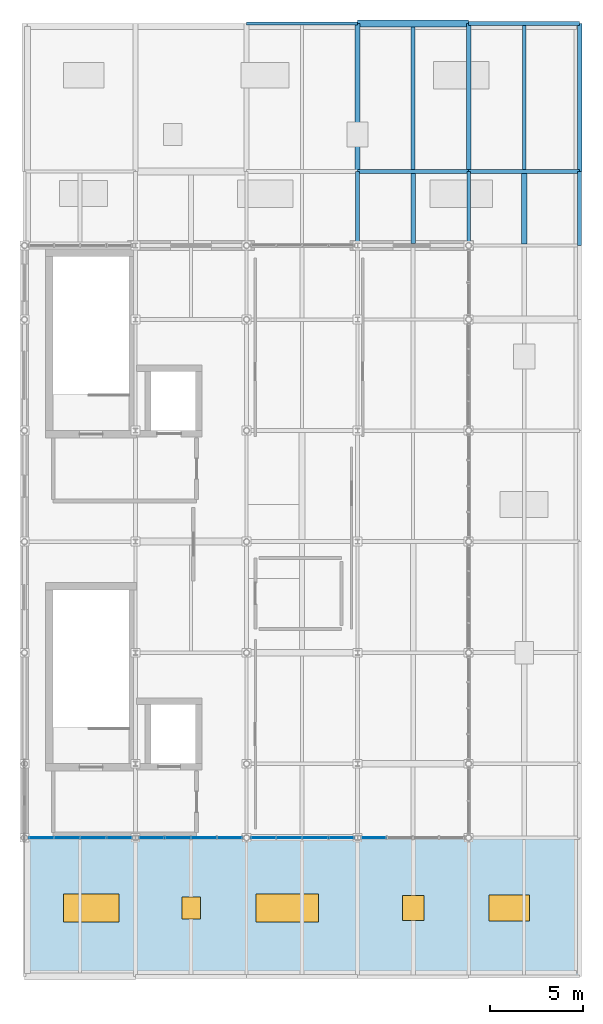
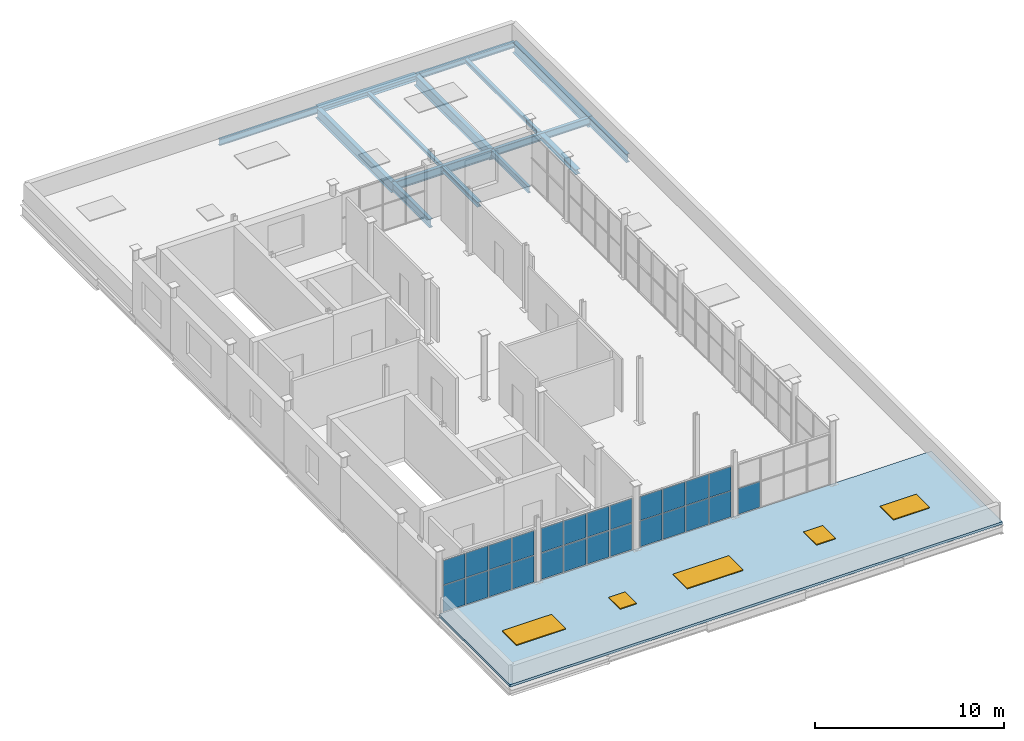
# One storey, part 21 of 27: 25 plates, 15 beams, 3 windows, 2 doors, 1 slab, 5 openings, 4 elements without a shape of their own.
"""IFC4 building model written with IfcOpenShell, lengths in metres."""

from ifc_helpers import new_model, si_unit, direction, frame, origin, origin_2d, place, context, subcontext, project, spatial, polyline, rectangle, i_section, outline, extrude, material, layer, layer_set, material_profile, profile_set, type_object, element, fill, aggregate, save


model = new_model("IFC4")

# Units and contexts
model_context = context("Model", 3, precision=1e-05, world=origin(), true_north=direction((0.0, 1.0)))
body_context = subcontext(model_context, "Body", "Model", "MODEL_VIEW")
ifc_project = project(units=[si_unit("LENGTHUNIT", "METRE"), si_unit("AREAUNIT", "SQUARE_METRE"), si_unit("VOLUMEUNIT", "CUBIC_METRE"), si_unit("PLANEANGLEUNIT", "RADIAN"), si_unit("MASSUNIT", "GRAM", prefix="KILO")], contexts=[model_context])

# Site, building, storey
site_placement = place(None, origin())
site = spatial("IfcSite", under=ifc_project, at=site_placement, CompositionType="ELEMENT")
building_placement = place(site_placement, origin())
building = spatial("IfcBuilding", under=site, at=building_placement, Name="Verrall Gate Interchange", CompositionType="ELEMENT")
storey_placement = place(building_placement, frame((0.0, 0.0, 28.60009765625)))
storey = spatial("IfcBuildingStorey", under=building, at=storey_placement, Name="L07", CompositionType="ELEMENT", Elevation=28.60009765625)

# Beams
ifc_material_1 = material(Name="Structural Steel CSA G40.21 350WT Cat 4", Category="steel")
ifc_material_profile_1 = material_profile(ifc_material_1, i_section(OverallWidth=0.256103515625, OverallDepth=0.693115234375, WebThickness=0.01318359375, FlangeThickness=0.02001953125, FilletRadius=0.01611328125, at=origin_2d()), Name="W690x170")
ifc_profile_set_1 = profile_set([ifc_material_profile_1], Name="Structural Steel CSA G40.21 350WT Cat 4")
beam_type_1 = type_object("IfcBeamType", Name="B-07 Structural Beam W690x170", PredefinedType="BEAM", material=ifc_profile_set_1)
for number, where, z_axis, x_axis, name in (
    (1, (24.0, 48.0, -0.606689453125), (0.0, 1.0, 0.0), (-1.0, 0.0, 0.0), "L07 Girder BM-L07-3299 (B-07)"),
    (2, (30.0, 48.0, -0.606689453125), (0.0, 1.0, 0.0), (-1.0, 0.0, 0.0), "L07 Girder BM-L07-3308 (B-07)"),
    (3, (36.0, 48.0, -0.606689453125), (0.0, 1.0, 0.0), (-1.0, 0.0, 0.0), "L07 Girder BM-L07-3317 (B-07)"),
):
    element("IfcBeam", number, at=place(storey_placement, frame(where, z_axis=z_axis, x_axis=x_axis)), inside=storey, type_object=beam_type_1, Name=name, PredefinedType="BEAM", context=body_context, shape_type="SweptSolid", body=[
        extrude(i_section(OverallWidth=0.256103515625, OverallDepth=0.693115234375, WebThickness=0.01318359375, FlangeThickness=0.02001953125, FilletRadius=0.01611328125, at=origin_2d()), origin(), (0.0, 0.0, 1.0), 8.0),
    ])
ifc_material_2 = material(Name="Structural Steel CSA G40.21 350W", Category="steel")
ifc_material_profile_2 = material_profile(ifc_material_2, i_section(OverallWidth=0.2109375, OverallDepth=0.5390625, WebThickness=0.01171875, FlangeThickness=0.018798828125, FilletRadius=0.013916015625, at=origin_2d()), Name="W530x109")
ifc_profile_set_2 = profile_set([ifc_material_profile_2], Name="Structural Steel CSA G40.21 350W")
beam_type_2 = type_object("IfcBeamType", Name="B-10 Structural Beam W530x109", PredefinedType="BEAM", material=ifc_profile_set_2)
beam_1_placement = place(storey_placement, frame((24.0, 48.0, -0.529541015625), z_axis=(1.0, 0.0, 0.0), x_axis=(0.0, 1.0, 0.0)))
element("IfcBeam", 4, at=beam_1_placement, inside=storey, type_object=beam_type_2, Name="L07 Girder BM-L07-3259 (B-10)", PredefinedType="BEAM", context=body_context, shape_type="SweptSolid", body=[
    extrude(i_section(OverallWidth=0.2109375, OverallDepth=0.5390625, WebThickness=0.01171875, FlangeThickness=0.018798828125, FilletRadius=0.013916015625, at=origin_2d()), origin(), (0.0, 0.0, 1.0), 6.0),
])
for number, where, z_axis, x_axis, name in (
    (5, (24.0, 44.0, -0.529541015625), (0.0, 1.0, 0.0), (-1.0, 0.0, 0.0), "L07 Girder BM-L07-3298 (B-10)"),
    (6, (36.0, 44.0, -0.529541015625), (0.0, 1.0, 0.0), (-1.0, 0.0, 0.0), "L07 Girder BM-L07-3316 (B-10)"),
):
    element("IfcBeam", number, at=place(storey_placement, frame(where, z_axis=z_axis, x_axis=x_axis)), inside=storey, type_object=beam_type_2, Name=name, PredefinedType="BEAM", context=body_context, shape_type="SweptSolid", body=[
        extrude(i_section(OverallWidth=0.2109375, OverallDepth=0.5390625, WebThickness=0.01171875, FlangeThickness=0.018798828125, FilletRadius=0.013916015625, at=origin_2d()), origin(), (0.0, 0.0, 1.0), 4.0),
    ])
ifc_material_3 = material(Name="Structural Steel CSA G40.21 350W", Category="steel")
ifc_material_profile_3 = material_profile(ifc_material_3, i_section(OverallWidth=0.19189453125, OverallDepth=0.462890625, WebThickness=0.010498046875, FlangeThickness=0.017578125, FilletRadius=0.012939453125, at=origin_2d()), Name="W460x89")
ifc_profile_set_3 = profile_set([ifc_material_profile_3], Name="Structural Steel CSA G40.21 350W")
beam_type_3 = type_object("IfcBeamType", Name="B-11 Structural Beam W460x89", PredefinedType="BEAM", material=ifc_profile_set_3)
beam_2_placement = place(storey_placement, frame((30.0, 48.0, -0.49169921875), z_axis=(1.0, 0.0, 0.0), x_axis=(0.0, 1.0, 0.0)))
element("IfcBeam", 7, at=beam_2_placement, inside=storey, type_object=beam_type_3, Name="L07 Girder BM-L07-3260 (B-11)", PredefinedType="BEAM", context=body_context, shape_type="SweptSolid", body=[
    extrude(i_section(OverallWidth=0.19189453125, OverallDepth=0.462890625, WebThickness=0.010498046875, FlangeThickness=0.017578125, FilletRadius=0.012939453125, at=origin_2d()), origin(), (0.0, 0.0, 1.0), 6.0),
])
ifc_material_4 = material(Name="Structural Steel CSA G40.21 350W", Category="steel")
ifc_material_profile_4 = material_profile(ifc_material_4, i_section(OverallWidth=0.178955078125, OverallDepth=0.409912109375, WebThickness=0.0087890625, FlangeThickness=0.014404296875, FilletRadius=0.011962890625, at=origin_2d()), Name="W410x67")
ifc_profile_set_4 = profile_set([ifc_material_profile_4], Name="Structural Steel CSA G40.21 350W")
beam_type_4 = type_object("IfcBeamType", Name="B-12 Structural Beam W410x67", PredefinedType="BEAM", material=ifc_profile_set_4)
beam_3_placement = place(storey_placement, frame((18.0, 56.0, -0.465087890625), z_axis=(1.0, 0.0, 0.0), x_axis=(0.0, 1.0, 0.0)))
element("IfcBeam", 8, at=beam_3_placement, inside=storey, type_object=beam_type_4, Name="L07 Girder BM-L07-3261 (B-12)", PredefinedType="BEAM", context=body_context, shape_type="SweptSolid", body=[
    extrude(i_section(OverallWidth=0.178955078125, OverallDepth=0.409912109375, WebThickness=0.0087890625, FlangeThickness=0.014404296875, FilletRadius=0.011962890625, at=origin_2d()), origin(), (0.0, 0.0, 1.0), 6.0),
])
beam_4_placement = place(storey_placement, frame((30.0, 44.0, -0.465087890625), z_axis=(0.0, 1.0, 0.0), x_axis=(-1.0, 0.0, 0.0)))
element("IfcBeam", 9, at=beam_4_placement, inside=storey, type_object=beam_type_4, Name="L07 Girder BM-L07-3307 (B-12)", PredefinedType="BEAM", context=body_context, shape_type="SweptSolid", body=[
    extrude(i_section(OverallWidth=0.178955078125, OverallDepth=0.409912109375, WebThickness=0.0087890625, FlangeThickness=0.014404296875, FilletRadius=0.011962890625, at=origin_2d()), origin(), (0.0, 0.0, 1.0), 4.0),
])
ifc_material_5 = material(Name="Structural Steel CSA G40.21 350W", Category="steel")
ifc_material_profile_5 = material_profile(ifc_material_5, i_section(OverallWidth=0.368896484375, OverallDepth=0.35595703125, WebThickness=0.01123046875, FlangeThickness=0.01806640625, FilletRadius=0.014892578125, at=origin_2d()), Name="W360x134")
ifc_profile_set_5 = profile_set([ifc_material_profile_5], Name="Structural Steel CSA G40.21 350W")
beam_type_5 = type_object("IfcBeamType", Name="B-13 Structural Beam W360x134", PredefinedType="BEAM", material=ifc_profile_set_5)
beam_5_placement = place(storey_placement, frame((24.0, 56.0, -0.43798828125), z_axis=(1.0, 0.0, 0.0), x_axis=(0.0, 1.0, 0.0)))
element("IfcBeam", 10, at=beam_5_placement, inside=storey, type_object=beam_type_5, Name="L07 Girder BM-L07-3262 (B-13)", PredefinedType="BEAM", context=body_context, shape_type="SweptSolid", body=[
    extrude(i_section(OverallWidth=0.368896484375, OverallDepth=0.35595703125, WebThickness=0.01123046875, FlangeThickness=0.01806640625, FilletRadius=0.014892578125, at=origin_2d()), origin(), (0.0, 0.0, 1.0), 6.0),
])
ifc_material_6 = material(Name="Structural Steel CSA G40.21 350W", Category="steel")
ifc_material_profile_6 = material_profile(ifc_material_6, i_section(OverallWidth=0.205078125, OverallDepth=0.35400390625, WebThickness=0.009521484375, FlangeThickness=0.016845703125, FilletRadius=0.012939453125, at=origin_2d()), Name="W360x79")
ifc_profile_set_6 = profile_set([ifc_material_profile_6], Name="Structural Steel CSA G40.21 350W")
beam_type_6 = type_object("IfcBeamType", Name="B-14 Structural Beam W360x79", PredefinedType="BEAM", material=ifc_profile_set_6)
beam_6_placement = place(storey_placement, frame((30.0, 56.0, -0.43701171875), z_axis=(1.0, 0.0, 0.0), x_axis=(0.0, 1.0, 0.0)))
element("IfcBeam", 11, at=beam_6_placement, inside=storey, type_object=beam_type_6, Name="L07 Girder BM-L07-3263 (B-14)", PredefinedType="BEAM", context=body_context, shape_type="SweptSolid", body=[
    extrude(i_section(OverallWidth=0.205078125, OverallDepth=0.35400390625, WebThickness=0.009521484375, FlangeThickness=0.016845703125, FilletRadius=0.012939453125, at=origin_2d()), origin(), (0.0, 0.0, 1.0), 6.0),
])
ifc_material_7 = material(Name="Structural Steel CSA G40.21 350W", Category="steel")
ifc_material_profile_7 = material_profile(ifc_material_7, i_section(OverallWidth=0.306884765625, OverallDepth=0.31396484375, WebThickness=0.011962890625, FlangeThickness=0.018798828125, FilletRadius=0.013916015625, at=origin_2d()), Name="W310x118")
ifc_profile_set_7 = profile_set([ifc_material_profile_7], Name="Structural Steel CSA G40.21 350W")
beam_type_7 = type_object("IfcBeamType", Name="J-02 Floor Joist W310x118", PredefinedType="JOIST", material=ifc_profile_set_7)
beam_7_placement = place(storey_placement, frame((33.0, 44.089599609375, -0.4169921875), z_axis=(0.0, 1.0, 0.0), x_axis=(-1.0, 0.0, 0.0)))
element("IfcBeam", 12, at=beam_7_placement, inside=storey, type_object=beam_type_7, Name="L07 Secondary Floor Joist JST-L07-3347", PredefinedType="JOIST", context=body_context, shape_type="SweptSolid", body=[
    extrude(i_section(OverallWidth=0.306884765625, OverallDepth=0.31396484375, WebThickness=0.011962890625, FlangeThickness=0.018798828125, FilletRadius=0.013916015625, at=origin_2d()), origin(), (0.0, 0.0, 1.0), 3.814453125),
])
ifc_material_8 = material(Name="Structural Steel CSA G40.21 350W", Category="steel")
ifc_material_profile_8 = material_profile(ifc_material_8, i_section(OverallWidth=0.25390625, OverallDepth=0.305908203125, WebThickness=0.0087890625, FlangeThickness=0.0146484375, FilletRadius=0.012939453125, at=origin_2d()), Name="W310x79")
ifc_profile_set_8 = profile_set([ifc_material_profile_8], Name="Structural Steel CSA G40.21 350W")
beam_type_8 = type_object("IfcBeamType", Name="J-03 Floor Joist W310x79", PredefinedType="JOIST", material=ifc_profile_set_8)
beam_8_placement = place(storey_placement, frame((27.0, 44.095947265625, -0.4130859375), z_axis=(0.0, 1.0, 0.0), x_axis=(-1.0, 0.0, 0.0)))
element("IfcBeam", 13, at=beam_8_placement, inside=storey, type_object=beam_type_8, Name="L07 Secondary Floor Joist JST-L07-3346", PredefinedType="JOIST", context=body_context, shape_type="SweptSolid", body=[
    extrude(i_section(OverallWidth=0.25390625, OverallDepth=0.305908203125, WebThickness=0.0087890625, FlangeThickness=0.0146484375, FilletRadius=0.012939453125, at=origin_2d()), origin(), (0.0, 0.0, 1.0), 3.798583984375),
])
ifc_material_9 = material(Name="Structural Steel CSA G40.21 350W", Category="steel")
ifc_material_profile_9 = material_profile(ifc_material_9, i_section(OverallWidth=0.201904296875, OverallDepth=0.2470703125, WebThickness=0.00732421875, FlangeThickness=0.010986328125, FilletRadius=0.010986328125, at=origin_2d()), Name="W250x49")
ifc_profile_set_9 = profile_set([ifc_material_profile_9], Name="Structural Steel CSA G40.21 350W")
beam_type_9 = type_object("IfcBeamType", Name="J-06 Floor Joist W250x49", PredefinedType="JOIST", material=ifc_profile_set_9)
beam_9_placement = place(storey_placement, frame((33.0, 48.095947265625, -0.383544921875), z_axis=(0.0, 1.0, 0.0), x_axis=(-1.0, 0.0, 0.0)))
element("IfcBeam", 14, at=beam_9_placement, inside=storey, type_object=beam_type_9, Name="L07 Secondary Floor Joist JST-L07-3350", PredefinedType="JOIST", context=body_context, shape_type="SweptSolid", body=[
    extrude(i_section(OverallWidth=0.201904296875, OverallDepth=0.2470703125, WebThickness=0.00732421875, FlangeThickness=0.010986328125, FilletRadius=0.010986328125, at=origin_2d()), origin(), (0.0, 0.0, 1.0), 7.801513671875),
])
ifc_material_10 = material(Name="Structural Steel CSA G40.21 350W", Category="steel")
ifc_material_profile_10 = material_profile(ifc_material_10, i_section(OverallWidth=0.202880859375, OverallDepth=0.202880859375, WebThickness=0.007080078125, FlangeThickness=0.010986328125, FilletRadius=0.010009765625, at=origin_2d()), Name="W200x46")
ifc_profile_set_10 = profile_set([ifc_material_profile_10], Name="Structural Steel CSA G40.21 350W")
beam_type_10 = type_object("IfcBeamType", Name="J-07 Floor Joist W200x46", PredefinedType="JOIST", material=ifc_profile_set_10)
beam_10_placement = place(storey_placement, frame((27.0, 48.10546875, -0.361572265625), z_axis=(0.0, 1.0, 0.0), x_axis=(-1.0, 0.0, 0.0)))
element("IfcBeam", 15, at=beam_10_placement, inside=storey, type_object=beam_type_10, Name="L07 Secondary Floor Joist JST-L07-3349", PredefinedType="JOIST", context=body_context, shape_type="SweptSolid", body=[
    extrude(i_section(OverallWidth=0.202880859375, OverallDepth=0.202880859375, WebThickness=0.007080078125, FlangeThickness=0.010986328125, FilletRadius=0.010009765625, at=origin_2d()), origin(), (0.0, 0.0, 1.0), 7.7099609375),
])

# Curtain wall, plates
ifc_material_11 = material(Name="Thermally Broken Anodized Aluminium Curtain Wall Framing", Category="aluminium")
curtain_wall_type_1 = type_object("IfcCurtainWallType", Name="CW-50 Unitized Curtain Wall 5647x3420", PredefinedType="NOTDEFINED", material=ifc_material_11)
curtain_wall_1_placement = place(storey_placement, origin())
curtain_wall_1 = element("IfcCurtainWall", 16, at=curtain_wall_1_placement, inside=storey, type_object=curtain_wall_type_1, Name="L07 Unitized Curtain Wall CW-L07-152", PredefinedType="NOTDEFINED")
ifc_material_12 = material(Name="Triple-Glazed Low-E Argon Insulated Curtain Panel (U=1.45)", Category="glass")
ifc_layer_1 = layer(ifc_material_12, 0.030029296875)
ifc_layer_set_1 = layer_set([ifc_layer_1], Name="Triple-Glazed Low-E Argon Insulated Curtain Panel (U=1.45)")
plate_type_1 = type_object("IfcPlateType", Name="CP-01 Curtain Glazing Panel 30", PredefinedType="CURTAIN_PANEL", material=ifc_layer_set_1)
plate_1_placement = place(storey_placement, frame((6.916015625, 12.0, 0.054443359375), z_axis=(0.0, 0.0, 1.0), x_axis=(1.0, 0.0, 0.0)))
plate_1 = element("IfcPlate", 17, at=plate_1_placement, type_object=plate_type_1, Name="CW-L07-152 Glazing Panel 1.1", PredefinedType="CURTAIN_PANEL", context=body_context, shape_type="SweptSolid", body=[
    extrude(rectangle(XDim=1.335205078125, YDim=0.030029296875, at=origin_2d()), origin(), (0.0, 0.0, 1.0), 1.70166015625),
])
plate_2_placement = place(storey_placement, frame((6.916015625, 12.0, 1.80029296875), z_axis=(0.0, 0.0, 1.0), x_axis=(1.0, 0.0, 0.0)))
plate_2 = element("IfcPlate", 18, at=plate_2_placement, type_object=plate_type_1, Name="CW-L07-152 Glazing Panel 1.2", PredefinedType="CURTAIN_PANEL", context=body_context, shape_type="SweptSolid", body=[
    extrude(rectangle(XDim=1.335205078125, YDim=0.030029296875, at=origin_2d()), origin(), (0.0, 0.0, 1.0), 1.56494140625),
])
plate_3_placement = place(storey_placement, frame((8.3115234375, 12.0, 0.054443359375), z_axis=(0.0, 0.0, 1.0), x_axis=(1.0, 0.0, 0.0)))
plate_3 = element("IfcPlate", 19, at=plate_3_placement, type_object=plate_type_1, Name="CW-L07-152 Glazing Panel 2.1", PredefinedType="CURTAIN_PANEL", context=body_context, shape_type="SweptSolid", body=[
    extrude(rectangle(XDim=1.36767578125, YDim=0.030029296875, at=origin_2d()), origin(), (0.0, 0.0, 1.0), 1.70166015625),
])
plate_4_placement = place(storey_placement, frame((8.3115234375, 12.0, 1.80029296875), z_axis=(0.0, 0.0, 1.0), x_axis=(1.0, 0.0, 0.0)))
plate_4 = element("IfcPlate", 20, at=plate_4_placement, type_object=plate_type_1, Name="CW-L07-152 Glazing Panel 2.2", PredefinedType="CURTAIN_PANEL", context=body_context, shape_type="SweptSolid", body=[
    extrude(rectangle(XDim=1.36767578125, YDim=0.030029296875, at=origin_2d()), origin(), (0.0, 0.0, 1.0), 1.56494140625),
])
plate_5_placement = place(storey_placement, frame((9.723388671875, 12.0, 0.054443359375), z_axis=(0.0, 0.0, 1.0), x_axis=(1.0, 0.0, 0.0)))
plate_5 = element("IfcPlate", 21, at=plate_5_placement, type_object=plate_type_1, Name="CW-L07-152 Glazing Panel 3.1", PredefinedType="CURTAIN_PANEL", context=body_context, shape_type="SweptSolid", body=[
    extrude(rectangle(XDim=1.367431640625, YDim=0.030029296875, at=origin_2d()), origin(), (0.0, 0.0, 1.0), 1.70166015625),
])
plate_6_placement = place(storey_placement, frame((9.723388671875, 12.0, 1.80029296875), z_axis=(0.0, 0.0, 1.0), x_axis=(1.0, 0.0, 0.0)))
plate_6 = element("IfcPlate", 22, at=plate_6_placement, type_object=plate_type_1, Name="CW-L07-152 Glazing Panel 3.2", PredefinedType="CURTAIN_PANEL", context=body_context, shape_type="SweptSolid", body=[
    extrude(rectangle(XDim=1.367431640625, YDim=0.030029296875, at=origin_2d()), origin(), (0.0, 0.0, 1.0), 1.56494140625),
])
plate_7_placement = place(storey_placement, frame((11.118896484375, 12.0, 0.054443359375), z_axis=(0.0, 0.0, 1.0), x_axis=(1.0, 0.0, 0.0)))
plate_7 = element("IfcPlate", 23, at=plate_7_placement, type_object=plate_type_1, Name="CW-L07-152 Glazing Panel 4.1", PredefinedType="CURTAIN_PANEL", context=body_context, shape_type="SweptSolid", body=[
    extrude(rectangle(XDim=1.335205078125, YDim=0.030029296875, at=origin_2d()), origin(), (0.0, 0.0, 1.0), 1.70166015625),
])
plate_8_placement = place(storey_placement, frame((11.118896484375, 12.0, 1.80029296875), z_axis=(0.0, 0.0, 1.0), x_axis=(1.0, 0.0, 0.0)))
plate_8 = element("IfcPlate", 24, at=plate_8_placement, type_object=plate_type_1, Name="CW-L07-152 Glazing Panel 4.2", PredefinedType="CURTAIN_PANEL", context=body_context, shape_type="SweptSolid", body=[
    extrude(rectangle(XDim=1.335205078125, YDim=0.030029296875, at=origin_2d()), origin(), (0.0, 0.0, 1.0), 1.56494140625),
])
aggregate(curtain_wall_1, [plate_1, plate_2, plate_3, plate_4, plate_5, plate_6, plate_7, plate_8])

curtain_wall_2_placement = place(storey_placement, origin())
curtain_wall_2 = element("IfcCurtainWall", 25, at=curtain_wall_2_placement, inside=storey, type_object=curtain_wall_type_1, Name="L07 Unitized Curtain Wall CW-L07-153", PredefinedType="NOTDEFINED")
plate_9_placement = place(storey_placement, frame((12.8837890625, 12.0, 0.06298828125), z_axis=(0.0, 0.0, 1.0), x_axis=(1.0, 0.0, 0.0)))
plate_9 = element("IfcPlate", 26, at=plate_9_placement, type_object=plate_type_1, Name="CW-L07-153 Glazing Panel 1.1", PredefinedType="CURTAIN_PANEL", context=body_context, shape_type="SweptSolid", body=[
    extrude(rectangle(XDim=1.3232421875, YDim=0.030029296875, at=origin_2d()), origin(), (0.0, 0.0, 1.0), 1.68994140625),
])
plate_10_placement = place(storey_placement, frame((12.8837890625, 12.0, 1.8037109375), z_axis=(0.0, 0.0, 1.0), x_axis=(1.0, 0.0, 0.0)))
plate_10 = element("IfcPlate", 27, at=plate_10_placement, type_object=plate_type_1, Name="CW-L07-153 Glazing Panel 1.2", PredefinedType="CURTAIN_PANEL", context=body_context, shape_type="SweptSolid", body=[
    extrude(rectangle(XDim=1.3232421875, YDim=0.030029296875, at=origin_2d()), origin(), (0.0, 0.0, 1.0), 1.552978515625),
])
plate_11_placement = place(storey_placement, frame((14.276611328125, 12.0, 0.06298828125), z_axis=(0.0, 0.0, 1.0), x_axis=(1.0, 0.0, 0.0)))
plate_11 = element("IfcPlate", 28, at=plate_11_placement, type_object=plate_type_1, Name="CW-L07-153 Glazing Panel 2.1", PredefinedType="CURTAIN_PANEL", context=body_context, shape_type="SweptSolid", body=[
    extrude(rectangle(XDim=1.36083984375, YDim=0.030029296875, at=origin_2d()), origin(), (0.0, 0.0, 1.0), 1.68994140625),
])
plate_12_placement = place(storey_placement, frame((14.276611328125, 12.0, 1.8037109375), z_axis=(0.0, 0.0, 1.0), x_axis=(1.0, 0.0, 0.0)))
plate_12 = element("IfcPlate", 29, at=plate_12_placement, type_object=plate_type_1, Name="CW-L07-153 Glazing Panel 2.2", PredefinedType="CURTAIN_PANEL", context=body_context, shape_type="SweptSolid", body=[
    extrude(rectangle(XDim=1.36083984375, YDim=0.030029296875, at=origin_2d()), origin(), (0.0, 0.0, 1.0), 1.552978515625),
])
plate_13_placement = place(storey_placement, frame((15.6884765625, 12.0, 0.06298828125), z_axis=(0.0, 0.0, 1.0), x_axis=(1.0, 0.0, 0.0)))
plate_13 = element("IfcPlate", 30, at=plate_13_placement, type_object=plate_type_1, Name="CW-L07-153 Glazing Panel 3.1", PredefinedType="CURTAIN_PANEL", context=body_context, shape_type="SweptSolid", body=[
    extrude(rectangle(XDim=1.360595703125, YDim=0.030029296875, at=origin_2d()), origin(), (0.0, 0.0, 1.0), 1.68994140625),
])
plate_14_placement = place(storey_placement, frame((15.6884765625, 12.0, 1.8037109375), z_axis=(0.0, 0.0, 1.0), x_axis=(1.0, 0.0, 0.0)))
plate_14 = element("IfcPlate", 31, at=plate_14_placement, type_object=plate_type_1, Name="CW-L07-153 Glazing Panel 3.2", PredefinedType="CURTAIN_PANEL", context=body_context, shape_type="SweptSolid", body=[
    extrude(rectangle(XDim=1.360595703125, YDim=0.030029296875, at=origin_2d()), origin(), (0.0, 0.0, 1.0), 1.552978515625),
])
plate_15_placement = place(storey_placement, frame((17.08154296875, 12.0, 0.06298828125), z_axis=(0.0, 0.0, 1.0), x_axis=(1.0, 0.0, 0.0)))
plate_15 = element("IfcPlate", 32, at=plate_15_placement, type_object=plate_type_1, Name="CW-L07-153 Glazing Panel 4.1", PredefinedType="CURTAIN_PANEL", context=body_context, shape_type="SweptSolid", body=[
    extrude(rectangle(XDim=1.3232421875, YDim=0.030029296875, at=origin_2d()), origin(), (0.0, 0.0, 1.0), 1.68994140625),
])
plate_16_placement = place(storey_placement, frame((17.08154296875, 12.0, 1.8037109375), z_axis=(0.0, 0.0, 1.0), x_axis=(1.0, 0.0, 0.0)))
plate_16 = element("IfcPlate", 33, at=plate_16_placement, type_object=plate_type_1, Name="CW-L07-153 Glazing Panel 4.2", PredefinedType="CURTAIN_PANEL", context=body_context, shape_type="SweptSolid", body=[
    extrude(rectangle(XDim=1.3232421875, YDim=0.030029296875, at=origin_2d()), origin(), (0.0, 0.0, 1.0), 1.552978515625),
])
aggregate(curtain_wall_2, [plate_9, plate_10, plate_11, plate_12, plate_13, plate_14, plate_15, plate_16])

ifc_material_13 = material(Name="Thermally Broken Anodized Aluminium Curtain Wall Framing", Category="aluminium")
curtain_wall_type_2 = type_object("IfcCurtainWallType", Name="CW-43 Unitized Curtain Wall 5612x3310", PredefinedType="NOTDEFINED", material=ifc_material_13)
curtain_wall_3_placement = place(storey_placement, origin())
curtain_wall_3 = element("IfcCurtainWall", 34, at=curtain_wall_3_placement, inside=storey, type_object=curtain_wall_type_2, Name="L07 Unitized Curtain Wall CW-L07-154", PredefinedType="NOTDEFINED")
ifc_material_14 = material(Name="Triple-Glazed Low-E Argon Insulated Curtain Panel (U=1.45)", Category="glass")
ifc_layer_2 = layer(ifc_material_14, 0.0400390625)
ifc_layer_set_2 = layer_set([ifc_layer_2], Name="Triple-Glazed Low-E Argon Insulated Curtain Panel (U=1.45)")
plate_type_2 = type_object("IfcPlateType", Name="CP-02 Curtain Glazing Panel 40", PredefinedType="CURTAIN_PANEL", material=ifc_layer_set_2)
plate_17_placement = place(storey_placement, frame((18.916015625, 12.0, 0.054443359375), z_axis=(0.0, 0.0, 1.0), x_axis=(1.0, 0.0, 0.0)))
plate_17 = element("IfcPlate", 35, at=plate_17_placement, type_object=plate_type_2, Name="CW-L07-154 Glazing Panel 1.1", PredefinedType="CURTAIN_PANEL", context=body_context, shape_type="SweptSolid", body=[
    extrude(rectangle(XDim=1.335205078125, YDim=0.0400390625, at=origin_2d()), origin(), (0.0, 0.0, 1.0), 1.66015625),
])
plate_18_placement = place(storey_placement, frame((18.916015625, 12.0, 1.7587890625), z_axis=(0.0, 0.0, 1.0), x_axis=(1.0, 0.0, 0.0)))
plate_18 = element("IfcPlate", 36, at=plate_18_placement, type_object=plate_type_2, Name="CW-L07-154 Glazing Panel 1.2", PredefinedType="CURTAIN_PANEL", context=body_context, shape_type="SweptSolid", body=[
    extrude(rectangle(XDim=1.335205078125, YDim=0.0400390625, at=origin_2d()), origin(), (0.0, 0.0, 1.0), 1.526611328125),
])
plate_19_placement = place(storey_placement, frame((20.311767578125, 12.0, 0.054443359375), z_axis=(0.0, 0.0, 1.0), x_axis=(1.0, 0.0, 0.0)))
plate_19 = element("IfcPlate", 37, at=plate_19_placement, type_object=plate_type_2, Name="CW-L07-154 Glazing Panel 2.1", PredefinedType="CURTAIN_PANEL", context=body_context, shape_type="SweptSolid", body=[
    extrude(rectangle(XDim=1.367431640625, YDim=0.0400390625, at=origin_2d()), origin(), (0.0, 0.0, 1.0), 1.66015625),
])
plate_20_placement = place(storey_placement, frame((20.311767578125, 12.0, 1.7587890625), z_axis=(0.0, 0.0, 1.0), x_axis=(1.0, 0.0, 0.0)))
plate_20 = element("IfcPlate", 38, at=plate_20_placement, type_object=plate_type_2, Name="CW-L07-154 Glazing Panel 2.2", PredefinedType="CURTAIN_PANEL", context=body_context, shape_type="SweptSolid", body=[
    extrude(rectangle(XDim=1.367431640625, YDim=0.0400390625, at=origin_2d()), origin(), (0.0, 0.0, 1.0), 1.526611328125),
])
plate_21_placement = place(storey_placement, frame((21.723388671875, 12.0, 0.054443359375), z_axis=(0.0, 0.0, 1.0), x_axis=(1.0, 0.0, 0.0)))
plate_21 = element("IfcPlate", 39, at=plate_21_placement, type_object=plate_type_2, Name="CW-L07-154 Glazing Panel 3.1", PredefinedType="CURTAIN_PANEL", context=body_context, shape_type="SweptSolid", body=[
    extrude(rectangle(XDim=1.36767578125, YDim=0.0400390625, at=origin_2d()), origin(), (0.0, 0.0, 1.0), 1.66015625),
])
plate_22_placement = place(storey_placement, frame((21.723388671875, 12.0, 1.7587890625), z_axis=(0.0, 0.0, 1.0), x_axis=(1.0, 0.0, 0.0)))
plate_22 = element("IfcPlate", 40, at=plate_22_placement, type_object=plate_type_2, Name="CW-L07-154 Glazing Panel 3.2", PredefinedType="CURTAIN_PANEL", context=body_context, shape_type="SweptSolid", body=[
    extrude(rectangle(XDim=1.36767578125, YDim=0.0400390625, at=origin_2d()), origin(), (0.0, 0.0, 1.0), 1.526611328125),
])
plate_23_placement = place(storey_placement, frame((23.118896484375, 12.0, 0.054443359375), z_axis=(0.0, 0.0, 1.0), x_axis=(1.0, 0.0, 0.0)))
plate_23 = element("IfcPlate", 41, at=plate_23_placement, type_object=plate_type_2, Name="CW-L07-154 Glazing Panel 4.1", PredefinedType="CURTAIN_PANEL", context=body_context, shape_type="SweptSolid", body=[
    extrude(rectangle(XDim=1.3349609375, YDim=0.0400390625, at=origin_2d()), origin(), (0.0, 0.0, 1.0), 1.66015625),
])
plate_24_placement = place(storey_placement, frame((23.118896484375, 12.0, 1.7587890625), z_axis=(0.0, 0.0, 1.0), x_axis=(1.0, 0.0, 0.0)))
plate_24 = element("IfcPlate", 42, at=plate_24_placement, type_object=plate_type_2, Name="CW-L07-154 Glazing Panel 4.2", PredefinedType="CURTAIN_PANEL", context=body_context, shape_type="SweptSolid", body=[
    extrude(rectangle(XDim=1.3349609375, YDim=0.0400390625, at=origin_2d()), origin(), (0.0, 0.0, 1.0), 1.526611328125),
])
aggregate(curtain_wall_3, [plate_17, plate_18, plate_19, plate_20, plate_21, plate_22, plate_23, plate_24])

# Curtain wall, plate
curtain_wall_4_placement = place(storey_placement, origin())
curtain_wall_4 = element("IfcCurtainWall", 43, at=curtain_wall_4_placement, inside=storey, type_object=curtain_wall_type_2, Name="L07 Unitized Curtain Wall CW-L07-155", PredefinedType="NOTDEFINED")
plate_25_placement = place(storey_placement, frame((24.883544921875, 12.0, 0.06298828125), z_axis=(0.0, 0.0, 1.0), x_axis=(1.0, 0.0, 0.0)))
plate_25 = element("IfcPlate", 44, at=plate_25_placement, type_object=plate_type_2, Name="CW-L07-155 Glazing Panel 1.1", PredefinedType="CURTAIN_PANEL", context=body_context, shape_type="SweptSolid", body=[
    extrude(rectangle(XDim=1.3232421875, YDim=0.0400390625, at=origin_2d()), origin(), (0.0, 0.0, 1.0), 1.648193359375),
])
aggregate(curtain_wall_4, [plate_25])

# Slab, openings, doors, windows
ifc_material_15 = material(Name="Concrete CSA A23.1 40 MPa (Class C-1)", Category="concrete")
ifc_layer_3 = layer(ifc_material_15, 0.159912109375)
ifc_layer_set_3 = layer_set([ifc_layer_3], Name="Concrete CSA A23.1 40 MPa (Class C-1)")
slab_type = type_object("IfcSlabType", Name="RS-03 Roof Slab 160", PredefinedType="ROOF", material=ifc_layer_set_3)
slab_placement = place(storey_placement, frame((0.0, 0.0, -0.16015625)))
slab = element("IfcSlab", 45, at=slab_placement, inside=storey, type_object=slab_type, Name="L07 Structural Slab SLB-L07-MR1", PredefinedType="ROOF", context=body_context, shape_type="SweptSolid", body=[
    extrude(outline(polyline([(6.0, 12.0), (18.0, 12.0), (30.0, 12.0), (36.0, 12.0), (36.0, 4.5), (6.0, 4.5), (6.0, 12.0)])), origin(), (0.0, 0.0, 1.0), 0.16015625),
])
opening_1_placement = place(slab_placement, frame((15.0, 8.199951171875, 0.0)))
opening_1 = element("IfcOpeningElement", 46, at=opening_1_placement, cuts=slab, Name="Opening RH03", PredefinedType="OPENING", context=body_context, shape_type="SweptSolid", body=[
    extrude(rectangle(XDim=1.0, YDim=1.199951171875, at=origin_2d()), frame((0.0, 0.0, -0.014892578125)), (0.0, 0.0, 1.0), 0.239990234375),
])
opening_2_placement = place(slab_placement, frame((27.0, 8.199951171875, 0.0)))
opening_2 = element("IfcOpeningElement", 47, at=opening_2_placement, cuts=slab, Name="Opening RH04", PredefinedType="OPENING", context=body_context, shape_type="SweptSolid", body=[
    extrude(rectangle(XDim=1.14990234375, YDim=1.35009765625, at=origin_2d()), frame((0.0, 0.0, -0.014892578125)), (0.0, 0.0, 1.0), 0.239990234375),
])
opening_3_placement = place(slab_placement, frame((9.60009765625, 8.199951171875, 0.0)))
opening_3 = element("IfcOpeningElement", 48, at=opening_3_placement, cuts=slab, Name="Opening SK-03", PredefinedType="OPENING", context=body_context, shape_type="SweptSolid", body=[
    extrude(rectangle(XDim=3.0, YDim=1.5, at=origin_2d()), frame((0.0, 0.0, -0.014892578125)), (0.0, 0.0, 1.0), 0.239990234375),
])
opening_4_placement = place(slab_placement, frame((20.199951171875, 8.199951171875, 0.0)))
opening_4 = element("IfcOpeningElement", 49, at=opening_4_placement, cuts=slab, Name="Opening SK-04", PredefinedType="OPENING", context=body_context, shape_type="SweptSolid", body=[
    extrude(rectangle(XDim=3.39990234375, YDim=1.5, at=origin_2d()), frame((0.0, 0.0, -0.014892578125)), (0.0, 0.0, 1.0), 0.239990234375),
])
opening_5_placement = place(slab_placement, frame((32.199951171875, 8.199951171875, 0.0)))
opening_5 = element("IfcOpeningElement", 50, at=opening_5_placement, cuts=slab, Name="Opening SK-01", PredefinedType="OPENING", context=body_context, shape_type="SweptSolid", body=[
    extrude(rectangle(XDim=2.199951171875, YDim=1.39990234375, at=origin_2d()), frame((0.0, 0.0, -0.014892578125)), (0.0, 0.0, 1.0), 0.239990234375),
])
ifc_material_16 = material(Name="Thermally Broken Bronze-Anodized Aluminium Entrance Assembly", Category="aluminium")
door_type_1 = type_object("IfcDoorType", Name="RH-01 Roof Access Hatch 1000x1200", OperationType="NOTDEFINED", PredefinedType="TRAPDOOR", material=ifc_material_16)
door_1_placement = place(opening_1_placement, frame((0.0, 0.0, 0.16015625)))
door_1 = element("IfcDoor", 51, at=door_1_placement, inside=storey, type_object=door_type_1, Name="L07 Insulated Maintenance Roof Hatch RH03", OperationType="SINGLE_SWING_LEFT", OverallHeight=1.199951171875, OverallWidth=1.0, PredefinedType="TRAPDOOR", context=body_context, shape_type="SweptSolid", body=[
    extrude(rectangle(XDim=1.0, YDim=1.199951171875, at=origin_2d()), origin(), (0.0, 0.0, 1.0), 0.050048828125),
])
fill(opening_1, door_1)
ifc_material_17 = material(Name="Thermally Broken Bronze-Anodized Aluminium Entrance Assembly", Category="aluminium")
door_type_2 = type_object("IfcDoorType", Name="RH-02 Roof Access Hatch 1150x1350", OperationType="NOTDEFINED", PredefinedType="TRAPDOOR", material=ifc_material_17)
door_2_placement = place(opening_2_placement, frame((0.0, 0.0, 0.16015625)))
door_2 = element("IfcDoor", 52, at=door_2_placement, inside=storey, type_object=door_type_2, Name="L07 Insulated Maintenance Roof Hatch RH04", OperationType="SINGLE_SWING_LEFT", OverallHeight=1.35009765625, OverallWidth=1.14990234375, PredefinedType="TRAPDOOR", context=body_context, shape_type="SweptSolid", body=[
    extrude(rectangle(XDim=1.14990234375, YDim=1.35009765625, at=origin_2d()), origin(), (0.0, 0.0, 1.0), 0.050048828125),
])
fill(opening_2, door_2)
ifc_material_18 = material(Name="Triple-Glazed Low-E Argon Bronze-Clad Window Unit (U=1.40)", Category="glass")
window_type_1 = type_object("IfcWindowType", Name="SK-01 Clerestory Roof Skylight 2200x1400", PartitioningType="SINGLE_PANEL", PredefinedType="SKYLIGHT", material=ifc_material_18)
window_1_placement = place(opening_5_placement, frame((0.0, 0.0, 0.16015625)))
window_1 = element("IfcWindow", 53, at=window_1_placement, inside=storey, type_object=window_type_1, Name="L07 Roof Skylight 09 (SK-01)", OverallHeight=1.39990234375, OverallWidth=2.199951171875, PartitioningType="SINGLE_PANEL", PredefinedType="SKYLIGHT", context=body_context, shape_type="SweptSolid", body=[
    extrude(rectangle(XDim=2.199951171875, YDim=1.39990234375, at=origin_2d()), origin(), (0.0, 0.0, 1.0), 0.050048828125),
])
fill(opening_5, window_1)
ifc_material_19 = material(Name="Triple-Glazed Low-E Argon Bronze-Clad Window Unit (U=1.40)", Category="glass")
window_type_2 = type_object("IfcWindowType", Name="SK-03 Clerestory Roof Skylight 3000x1500", PartitioningType="SINGLE_PANEL", PredefinedType="SKYLIGHT", material=ifc_material_19)
window_2_placement = place(opening_3_placement, frame((0.0, 0.0, 0.16015625)))
window_2 = element("IfcWindow", 54, at=window_2_placement, inside=storey, type_object=window_type_2, Name="L07 Roof Skylight 07 (SK-03)", OverallHeight=1.5, OverallWidth=3.0, PartitioningType="SINGLE_PANEL", PredefinedType="SKYLIGHT", context=body_context, shape_type="SweptSolid", body=[
    extrude(rectangle(XDim=3.0, YDim=1.5, at=origin_2d()), origin(), (0.0, 0.0, 1.0), 0.050048828125),
])
fill(opening_3, window_2)
ifc_material_20 = material(Name="Triple-Glazed Low-E Argon Bronze-Clad Window Unit (U=1.40)", Category="glass")
window_type_3 = type_object("IfcWindowType", Name="SK-04 Clerestory Roof Skylight 3400x1500", PartitioningType="SINGLE_PANEL", PredefinedType="SKYLIGHT", material=ifc_material_20)
window_3_placement = place(opening_4_placement, frame((0.0, 0.0, 0.16015625)))
window_3 = element("IfcWindow", 55, at=window_3_placement, inside=storey, type_object=window_type_3, Name="L07 Roof Skylight 08 (SK-04)", OverallHeight=1.5, OverallWidth=3.39990234375, PartitioningType="SINGLE_PANEL", PredefinedType="SKYLIGHT", context=body_context, shape_type="SweptSolid", body=[
    extrude(rectangle(XDim=3.39990234375, YDim=1.5, at=origin_2d()), origin(), (0.0, 0.0, 1.0), 0.050048828125),
])
fill(opening_4, window_3)

save(model, "model.ifc")
